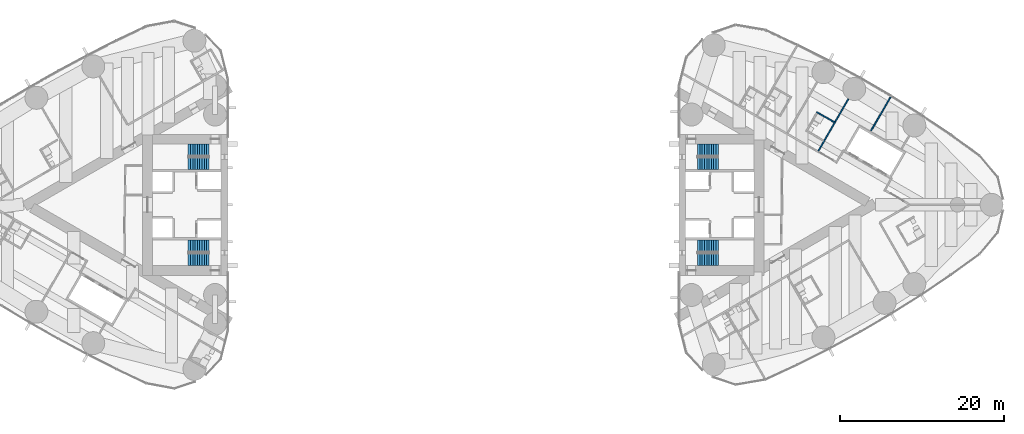
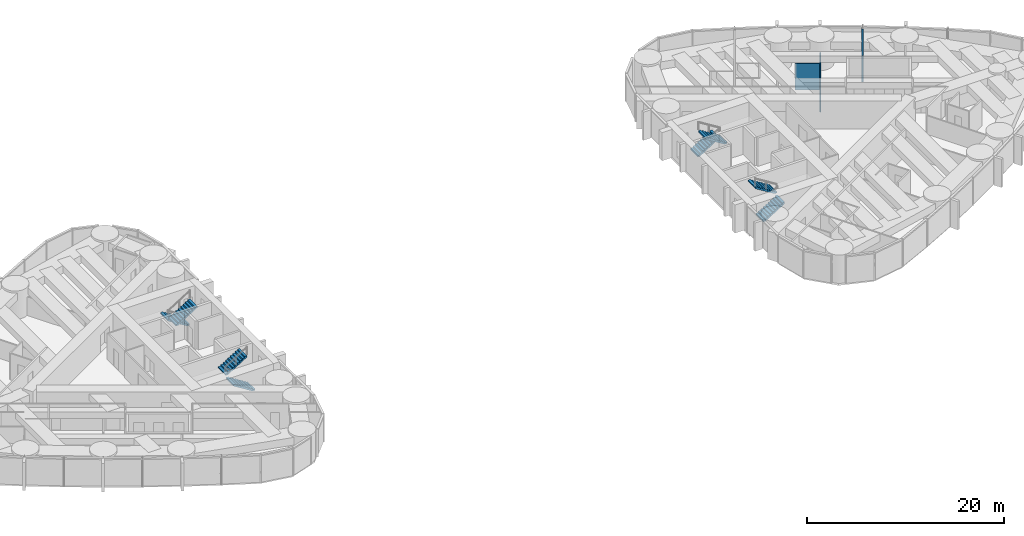
# One storey, part 16 of 18: 8 stair flights, 3 walls, 4 elements without a shape of their own.
"""IFC4 building model written with IfcOpenShell, lengths in metres."""

from ifc_helpers import new_model, si_unit, direction, frame, frame_2d, origin, place, context, subcontext, project, spatial, polyline, rectangle, outline, extrude, material, layer, layer_set, type_object, element, aggregate, save


model = new_model("IFC4")

# Units and contexts
model_context = context("Model", 3, precision=1e-05, world=origin(), true_north=direction((0.0, 1.0)))
body_context = subcontext(model_context, "Body", "Model", "MODEL_VIEW")
ifc_project = project(units=[si_unit("LENGTHUNIT", "METRE"), si_unit("AREAUNIT", "SQUARE_METRE"), si_unit("VOLUMEUNIT", "CUBIC_METRE"), si_unit("PLANEANGLEUNIT", "RADIAN"), si_unit("MASSUNIT", "GRAM", prefix="KILO")], contexts=[model_context])

# Site, building, storey
site_placement = place(None, origin())
site = spatial("IfcSite", under=ifc_project, at=site_placement, CompositionType="ELEMENT")
building_placement = place(site_placement, origin())
building = spatial("IfcBuilding", under=site, at=building_placement, Name="Lancet Gate Hotel", CompositionType="ELEMENT")
storey_placement = place(building_placement, frame((0.0, 0.0, 180.800048828125)))
storey = spatial("IfcBuildingStorey", under=building, at=storey_placement, Name="L48", CompositionType="ELEMENT", Elevation=180.800048828125)

# Walls
ifc_material_1 = material(Name="Moisture resistant board partition")
ifc_layer_1 = layer(ifc_material_1, 0.14990234375)
ifc_layer_set_1 = layer_set([ifc_layer_1], Name="Bathroom wall 150")
wall_type_1 = type_object("IfcWallType", Name="Bathroom wall 150", PredefinedType="PARTITIONING", material=ifc_layer_set_1)
wall_1_placement = place(storey_placement, frame((44.31298828125, 11.309814453125, 0.0), z_axis=(0.0, 0.0, 1.0), x_axis=(0.866031185235, -0.4999899861, 0.0)))
element("IfcWall", 1, at=wall_1_placement, inside=storey, type_object=wall_type_1, Name="T2 bathroom wall 150 L48", PredefinedType="PARTITIONING", context=body_context, shape_type="SweptSolid", body=[
    extrude(rectangle(XDim=2.47509765625, YDim=0.14990234375, at=frame_2d((1.237548828125, 0.0))), origin(), (0.0, 0.0, 1.0), 3.25),
])
ifc_material_2 = material(Name="Gypsum board partition")
ifc_layer_2 = layer(ifc_material_2, 0.14990234375)
ifc_layer_set_2 = layer_set([ifc_layer_2], Name="Party wall 150")
wall_type_2 = type_object("IfcWallType", Name="Party wall 150", PredefinedType="PARTITIONING", material=ifc_layer_set_2)
wall_2_placement = place(storey_placement, frame((44.521484375, 6.57080078125, 0.0), z_axis=(0.0, 0.0, 1.0), x_axis=(0.500020376429, 0.866013639128, 0.0)))
element("IfcWall", 2, at=wall_2_placement, inside=storey, type_object=wall_type_2, Name="T2 party wall 150 L48", PredefinedType="PARTITIONING", context=body_context, shape_type="SweptSolid", body=[
    extrude(rectangle(XDim=7.306396484375, YDim=0.14990234375, at=frame_2d((3.6533203125, 0.0))), origin(), (0.0, 0.0, 1.0), 2.300048828125),
])
wall_3_placement = place(storey_placement, frame((50.949951171875, 9.037353515625, 0.0), z_axis=(0.0, 0.0, 1.0), x_axis=(0.499988022762, 0.866032318735, 0.0)))
element("IfcWall", 3, at=wall_3_placement, inside=storey, type_object=wall_type_2, Name="T2 party wall 150 L48", PredefinedType="PARTITIONING", context=body_context, shape_type="SweptSolid", body=[
    extrude(rectangle(XDim=4.748046875, YDim=0.14990234375, at=frame_2d((2.3740234375, 0.0))), origin(), (0.0, 0.0, 1.0), 3.25),
])

# Stair, stair flights
ifc_material_3 = material(Name="Exit stair 20 risers 1500")
stair_type = type_object("IfcStairType", Name="Exit stair 20 risers 1500", PredefinedType="HALF_TURN_STAIR", material=ifc_material_3)
stair_1_placement = place(storey_placement, origin())
stair_1 = element("IfcStair", 4, at=stair_1_placement, inside=storey, type_object=stair_type, Name="T1 stair 1 L48", PredefinedType="HALF_TURN_STAIR")
ifc_material_4 = material(Name="Stair flight 10 risers 175 rise 1500")
stair_flight_type = type_object("IfcStairFlightType", Name="Stair flight 10 risers 175 rise 1500", PredefinedType="STRAIGHT", material=ifc_material_4)
stair_flight_1_placement = place(storey_placement, frame((-29.800048828125, 6.64990234375, 0.0), z_axis=(0.0, 0.0, 1.0), x_axis=(-1.0, 0.0, 0.0)))
stair_flight_1 = element("IfcStairFlight", 5, at=stair_flight_1_placement, type_object=stair_flight_type, Name="ST1 flight 1", NumberOfRisers=10, NumberOfTreads=9, PredefinedType="STRAIGHT", RiserHeight=0.175, TreadLength=0.28, context=body_context, shape_type="SweptSolid", body=[
    extrude(outline(polyline([(0.0, 0.0), (0.0, 0.175048828125), (0.280029296875, 0.175048828125), (0.280029296875, 0.35009765625), (0.56005859375, 0.35009765625), (0.56005859375, 0.52490234375), (0.840087890625, 0.52490234375), (0.840087890625, 0.699951171875), (1.1201171875, 0.699951171875), (1.1201171875, 0.875), (1.39990234375, 0.875), (1.39990234375, 1.050048828125), (1.679931640625, 1.050048828125), (1.679931640625, 1.22509765625), (1.9599609375, 1.22509765625), (1.9599609375, 1.39990234375), (2.239990234375, 1.39990234375), (2.239990234375, 1.574951171875), (2.52001953125, 1.574951171875), (2.52001953125, 1.75), (2.52001953125, 1.398193359375), (0.28271484375, 0.0), (0.0, 0.0)])), frame((0.0, 0.75, 0.0), z_axis=(0.0, -1.0, 0.0), x_axis=(1.0, 0.0, 0.0)), (0.0, 0.0, 1.0), 1.5),
])
stair_flight_2_placement = place(storey_placement, frame((-32.320068359375, 5.050048828125, 1.75), z_axis=(0.0, 0.0, 1.0), x_axis=(1.0, 0.0, 0.0)))
stair_flight_2 = element("IfcStairFlight", 6, at=stair_flight_2_placement, type_object=stair_flight_type, Name="ST1 flight 2", NumberOfRisers=10, NumberOfTreads=9, PredefinedType="STRAIGHT", RiserHeight=0.175, TreadLength=0.28, context=body_context, shape_type="SweptSolid", body=[
    extrude(outline(polyline([(0.0, 0.0), (0.0, 0.175048828125), (0.280029296875, 0.175048828125), (0.280029296875, 0.35009765625), (0.56005859375, 0.35009765625), (0.56005859375, 0.52490234375), (0.840087890625, 0.52490234375), (0.840087890625, 0.699951171875), (1.1201171875, 0.699951171875), (1.1201171875, 0.875), (1.39990234375, 0.875), (1.39990234375, 1.050048828125), (1.679931640625, 1.050048828125), (1.679931640625, 1.22509765625), (1.9599609375, 1.22509765625), (1.9599609375, 1.39990234375), (2.239990234375, 1.39990234375), (2.239990234375, 1.574951171875), (2.52001953125, 1.574951171875), (2.52001953125, 1.75), (2.52001953125, 1.398193359375), (0.28271484375, 0.0), (0.0, 0.0)])), frame((0.0, 0.75, 0.0), z_axis=(0.0, -1.0, 0.0), x_axis=(1.0, 0.0, 0.0)), (0.0, 0.0, 1.0), 1.5),
])
aggregate(stair_1, [stair_flight_1, stair_flight_2])

stair_2_placement = place(storey_placement, origin())
stair_2 = element("IfcStair", 7, at=stair_2_placement, inside=storey, type_object=stair_type, Name="T1 stair 2 L48", PredefinedType="HALF_TURN_STAIR")
stair_flight_3_placement = place(storey_placement, frame((-29.800048828125, -6.64990234375, 0.0), z_axis=(0.0, 0.0, 1.0), x_axis=(-1.0, 0.0, 0.0)))
stair_flight_3 = element("IfcStairFlight", 8, at=stair_flight_3_placement, type_object=stair_flight_type, Name="ST2 flight 1", NumberOfRisers=10, NumberOfTreads=9, PredefinedType="STRAIGHT", RiserHeight=0.175, TreadLength=0.28, context=body_context, shape_type="SweptSolid", body=[
    extrude(outline(polyline([(0.0, 0.0), (0.0, 0.175048828125), (0.280029296875, 0.175048828125), (0.280029296875, 0.35009765625), (0.56005859375, 0.35009765625), (0.56005859375, 0.52490234375), (0.840087890625, 0.52490234375), (0.840087890625, 0.699951171875), (1.1201171875, 0.699951171875), (1.1201171875, 0.875), (1.39990234375, 0.875), (1.39990234375, 1.050048828125), (1.679931640625, 1.050048828125), (1.679931640625, 1.22509765625), (1.9599609375, 1.22509765625), (1.9599609375, 1.39990234375), (2.239990234375, 1.39990234375), (2.239990234375, 1.574951171875), (2.52001953125, 1.574951171875), (2.52001953125, 1.75), (2.52001953125, 1.398193359375), (0.28271484375, 0.0), (0.0, 0.0)])), frame((0.0, 0.75, 0.0), z_axis=(0.0, -1.0, 0.0), x_axis=(1.0, 0.0, 0.0)), (0.0, 0.0, 1.0), 1.5),
])
stair_flight_4_placement = place(storey_placement, frame((-32.320068359375, -5.050048828125, 1.75), z_axis=(0.0, 0.0, 1.0), x_axis=(1.0, 0.0, 0.0)))
stair_flight_4 = element("IfcStairFlight", 9, at=stair_flight_4_placement, type_object=stair_flight_type, Name="ST2 flight 2", NumberOfRisers=10, NumberOfTreads=9, PredefinedType="STRAIGHT", RiserHeight=0.175, TreadLength=0.28, context=body_context, shape_type="SweptSolid", body=[
    extrude(outline(polyline([(0.0, 0.0), (0.0, 0.175048828125), (0.280029296875, 0.175048828125), (0.280029296875, 0.35009765625), (0.56005859375, 0.35009765625), (0.56005859375, 0.52490234375), (0.840087890625, 0.52490234375), (0.840087890625, 0.699951171875), (1.1201171875, 0.699951171875), (1.1201171875, 0.875), (1.39990234375, 0.875), (1.39990234375, 1.050048828125), (1.679931640625, 1.050048828125), (1.679931640625, 1.22509765625), (1.9599609375, 1.22509765625), (1.9599609375, 1.39990234375), (2.239990234375, 1.39990234375), (2.239990234375, 1.574951171875), (2.52001953125, 1.574951171875), (2.52001953125, 1.75), (2.52001953125, 1.398193359375), (0.28271484375, 0.0), (0.0, 0.0)])), frame((0.0, 0.75, 0.0), z_axis=(0.0, -1.0, 0.0), x_axis=(1.0, 0.0, 0.0)), (0.0, 0.0, 1.0), 1.5),
])
aggregate(stair_2, [stair_flight_3, stair_flight_4])

stair_3_placement = place(storey_placement, origin())
stair_3 = element("IfcStair", 10, at=stair_3_placement, inside=storey, type_object=stair_type, Name="T2 stair 1 L48", PredefinedType="HALF_TURN_STAIR")
stair_flight_5_placement = place(storey_placement, frame((29.800048828125, -6.64990234375, 0.0), z_axis=(0.0, 0.0, 1.0), x_axis=(1.0, 0.0, 0.0)))
stair_flight_5 = element("IfcStairFlight", 11, at=stair_flight_5_placement, type_object=stair_flight_type, Name="ST3 flight 1", NumberOfRisers=10, NumberOfTreads=9, PredefinedType="STRAIGHT", RiserHeight=0.175, TreadLength=0.28, context=body_context, shape_type="SweptSolid", body=[
    extrude(outline(polyline([(0.0, 0.0), (0.0, 0.175048828125), (0.280029296875, 0.175048828125), (0.280029296875, 0.35009765625), (0.56005859375, 0.35009765625), (0.56005859375, 0.52490234375), (0.840087890625, 0.52490234375), (0.840087890625, 0.699951171875), (1.1201171875, 0.699951171875), (1.1201171875, 0.875), (1.39990234375, 0.875), (1.39990234375, 1.050048828125), (1.679931640625, 1.050048828125), (1.679931640625, 1.22509765625), (1.9599609375, 1.22509765625), (1.9599609375, 1.39990234375), (2.239990234375, 1.39990234375), (2.239990234375, 1.574951171875), (2.52001953125, 1.574951171875), (2.52001953125, 1.75), (2.52001953125, 1.398193359375), (0.28271484375, 0.0), (0.0, 0.0)])), frame((0.0, 0.75, 0.0), z_axis=(0.0, -1.0, 0.0), x_axis=(1.0, 0.0, 0.0)), (0.0, 0.0, 1.0), 1.5),
])
stair_flight_6_placement = place(storey_placement, frame((32.320068359375, -5.050048828125, 1.75), z_axis=(0.0, 0.0, 1.0), x_axis=(-1.0, 0.0, 0.0)))
stair_flight_6 = element("IfcStairFlight", 12, at=stair_flight_6_placement, type_object=stair_flight_type, Name="ST3 flight 2", NumberOfRisers=10, NumberOfTreads=9, PredefinedType="STRAIGHT", RiserHeight=0.175, TreadLength=0.28, context=body_context, shape_type="SweptSolid", body=[
    extrude(outline(polyline([(0.0, 0.0), (0.0, 0.175048828125), (0.280029296875, 0.175048828125), (0.280029296875, 0.35009765625), (0.56005859375, 0.35009765625), (0.56005859375, 0.52490234375), (0.840087890625, 0.52490234375), (0.840087890625, 0.699951171875), (1.1201171875, 0.699951171875), (1.1201171875, 0.875), (1.39990234375, 0.875), (1.39990234375, 1.050048828125), (1.679931640625, 1.050048828125), (1.679931640625, 1.22509765625), (1.9599609375, 1.22509765625), (1.9599609375, 1.39990234375), (2.239990234375, 1.39990234375), (2.239990234375, 1.574951171875), (2.52001953125, 1.574951171875), (2.52001953125, 1.75), (2.52001953125, 1.398193359375), (0.28271484375, 0.0), (0.0, 0.0)])), frame((0.0, 0.75, 0.0), z_axis=(0.0, -1.0, 0.0), x_axis=(1.0, 0.0, 0.0)), (0.0, 0.0, 1.0), 1.5),
])
aggregate(stair_3, [stair_flight_5, stair_flight_6])

stair_4_placement = place(storey_placement, origin())
stair_4 = element("IfcStair", 13, at=stair_4_placement, inside=storey, type_object=stair_type, Name="T2 stair 2 L48", PredefinedType="HALF_TURN_STAIR")
stair_flight_7_placement = place(storey_placement, frame((29.800048828125, 6.64990234375, 0.0), z_axis=(0.0, 0.0, 1.0), x_axis=(1.0, 0.0, 0.0)))
stair_flight_7 = element("IfcStairFlight", 14, at=stair_flight_7_placement, type_object=stair_flight_type, Name="ST4 flight 1", NumberOfRisers=10, NumberOfTreads=9, PredefinedType="STRAIGHT", RiserHeight=0.175, TreadLength=0.28, context=body_context, shape_type="SweptSolid", body=[
    extrude(outline(polyline([(0.0, 0.0), (0.0, 0.175048828125), (0.280029296875, 0.175048828125), (0.280029296875, 0.35009765625), (0.56005859375, 0.35009765625), (0.56005859375, 0.52490234375), (0.840087890625, 0.52490234375), (0.840087890625, 0.699951171875), (1.1201171875, 0.699951171875), (1.1201171875, 0.875), (1.39990234375, 0.875), (1.39990234375, 1.050048828125), (1.679931640625, 1.050048828125), (1.679931640625, 1.22509765625), (1.9599609375, 1.22509765625), (1.9599609375, 1.39990234375), (2.239990234375, 1.39990234375), (2.239990234375, 1.574951171875), (2.52001953125, 1.574951171875), (2.52001953125, 1.75), (2.52001953125, 1.398193359375), (0.28271484375, 0.0), (0.0, 0.0)])), frame((0.0, 0.75, 0.0), z_axis=(0.0, -1.0, 0.0), x_axis=(1.0, 0.0, 0.0)), (0.0, 0.0, 1.0), 1.5),
])
stair_flight_8_placement = place(storey_placement, frame((32.320068359375, 5.050048828125, 1.75), z_axis=(0.0, 0.0, 1.0), x_axis=(-1.0, 0.0, 0.0)))
stair_flight_8 = element("IfcStairFlight", 15, at=stair_flight_8_placement, type_object=stair_flight_type, Name="ST4 flight 2", NumberOfRisers=10, NumberOfTreads=9, PredefinedType="STRAIGHT", RiserHeight=0.175, TreadLength=0.28, context=body_context, shape_type="SweptSolid", body=[
    extrude(outline(polyline([(0.0, 0.0), (0.0, 0.175048828125), (0.280029296875, 0.175048828125), (0.280029296875, 0.35009765625), (0.56005859375, 0.35009765625), (0.56005859375, 0.52490234375), (0.840087890625, 0.52490234375), (0.840087890625, 0.699951171875), (1.1201171875, 0.699951171875), (1.1201171875, 0.875), (1.39990234375, 0.875), (1.39990234375, 1.050048828125), (1.679931640625, 1.050048828125), (1.679931640625, 1.22509765625), (1.9599609375, 1.22509765625), (1.9599609375, 1.39990234375), (2.239990234375, 1.39990234375), (2.239990234375, 1.574951171875), (2.52001953125, 1.574951171875), (2.52001953125, 1.75), (2.52001953125, 1.398193359375), (0.28271484375, 0.0), (0.0, 0.0)])), frame((0.0, 0.75, 0.0), z_axis=(0.0, -1.0, 0.0), x_axis=(1.0, 0.0, 0.0)), (0.0, 0.0, 1.0), 1.5),
])
aggregate(stair_4, [stair_flight_7, stair_flight_8])

save(model, "model.ifc")
